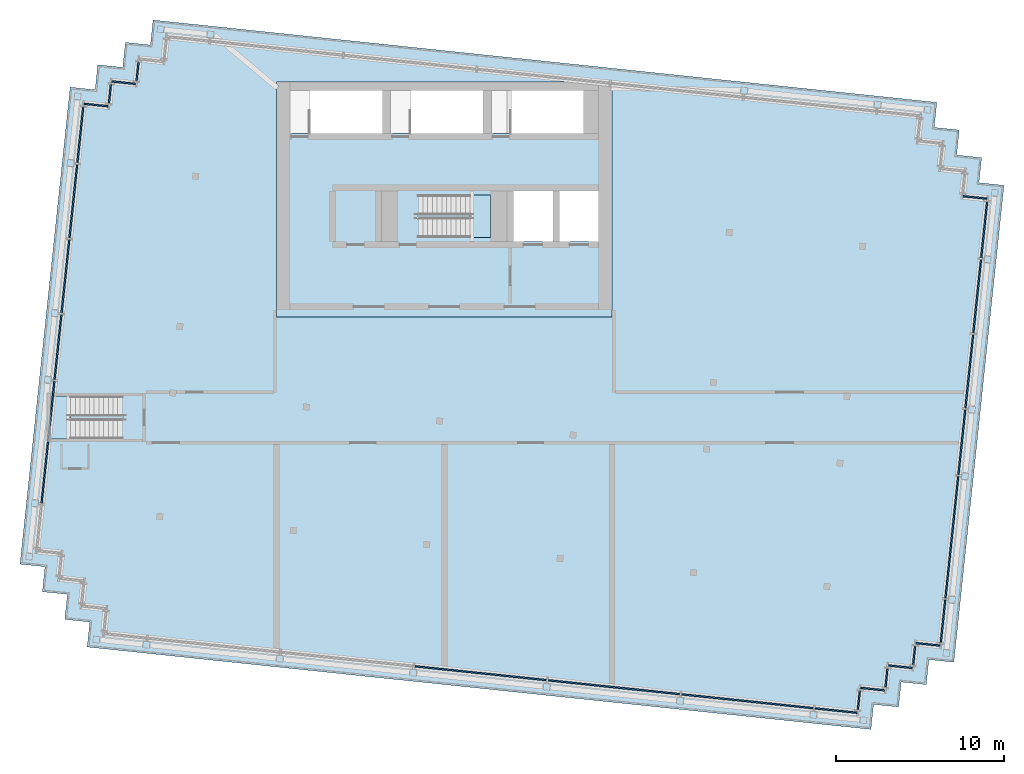
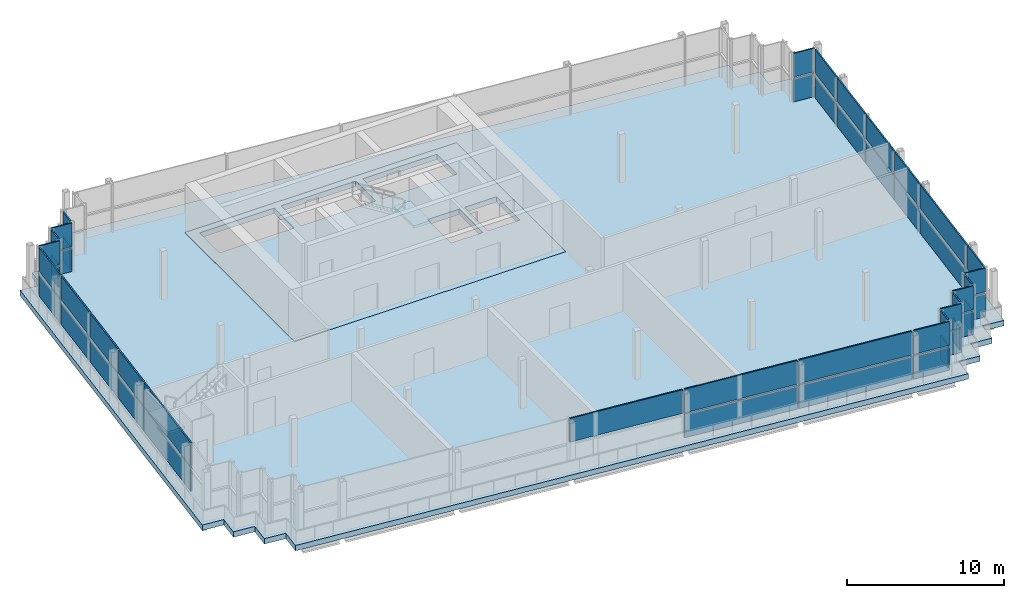
# One storey, part 6 of 13: 51 plates, 4 slabs, 16 elements without a shape of their own.
"""IFC4 building model written with IfcOpenShell, lengths in metres."""

import ifcopenshell
import ifcopenshell.guid

model = None  # the IFC model being written
_history = None  # IfcOwnerHistory: only IFC2X3 demands one
_inside = {}  # id of a spatial element -> (the spatial element, [elements in it])
_under = {}  # id of a project, library or spatial element -> (it, [spatial elements below it])
_declared = {}  # id of a project -> (the project, [libraries it declares])
_typed = {}  # id of a type object -> (the type object, [elements of that type])
_made_of = {}  # id of a material, layer set ... -> (it, [elements and type objects made of it])


def new_model(schema):
    """Start an empty IFC model of exactly this schema.

    Asked for "IFC4X3", IfcOpenShell would pick the latest addendum, in which some entities
    have other attributes; the version numbers below select the first issue.
    IFC2X3 requires an IfcOwnerHistory on every rooted entity: one is made here for all.
    """
    global model, _history
    if schema == "IFC4X3":
        model = ifcopenshell.file(schema_version=(4, 3, 0, 0))
    else:
        model = ifcopenshell.file(schema=schema)
    _inside.clear()
    _under.clear()
    _declared.clear()
    _typed.clear()
    _made_of.clear()
    _history = None
    if model.schema == "IFC2X3":
        org = make("IfcOrganization", Name="unknown")
        user = make(
            "IfcPersonAndOrganization",
            ThePerson=make("IfcPerson", FamilyName="unknown"),
            TheOrganization=org,
        )
        app = make(
            "IfcApplication",
            ApplicationDeveloper=org,
            Version="unknown",
            ApplicationFullName="unknown",
            ApplicationIdentifier="unknown",
        )
        _history = make(
            "IfcOwnerHistory",
            OwningUser=user,
            OwningApplication=app,
            ChangeAction="ADDED",
            CreationDate=0,
        )
    return model


def make(cls, **values):
    """One entity of the class cls with the attributes given. An attribute that is None is left unset."""
    return model.create_entity(
        cls, **{name: value for name, value in values.items() if value is not None}
    )


def rooted(cls, **values):
    """An entity with a GlobalId (a new one), such as an element, a storey or a relation."""
    return make(cls, GlobalId=ifcopenshell.guid.new(), OwnerHistory=_history, **values)


def si_unit(unit_type, name, prefix=None):
    """IfcSIUnit, for example si_unit("LENGTHUNIT", "METRE", prefix="MILLI")."""
    return make("IfcSIUnit", UnitType=unit_type, Prefix=prefix, Name=name)


def assignment(units):
    """IfcUnitAssignment: the units of a project."""
    return None if units is None else make("IfcUnitAssignment", Units=units)


def point(xyz):
    """IfcCartesianPoint."""
    return None if xyz is None else make("IfcCartesianPoint", Coordinates=xyz)


def direction(xyz):
    """IfcDirection."""
    return None if xyz is None else make("IfcDirection", DirectionRatios=xyz)


def frame(location, z_axis=None, x_axis=None):
    """IfcAxis2Placement3D, a coordinate frame: its origin and axes. An axis left out is left unset."""
    return make(
        "IfcAxis2Placement3D",
        Location=point(location),
        Axis=direction(z_axis),
        RefDirection=direction(x_axis),
    )


def frame_2d(location, x_axis=None):
    """IfcAxis2Placement2D, a coordinate frame in the plane: its origin and x axis."""
    return make(
        "IfcAxis2Placement2D", Location=point(location), RefDirection=direction(x_axis)
    )


def origin():
    """The frame at (0, 0, 0) with its axes left unset."""
    return frame((0.0, 0.0, 0.0))


def origin_2d():
    """The frame at (0, 0) in the plane with its x axis left unset."""
    return frame_2d((0.0, 0.0))


def place(relative_to, where):
    """IfcLocalPlacement: puts the frame where relative to a parent placement (None: the world)."""
    return make(
        "IfcLocalPlacement", PlacementRelTo=relative_to, RelativePlacement=where
    )


def context(
    kind, dimensions, precision=None, world=None, true_north=None, identifier=None
):
    """IfcGeometricRepresentationContext, for example the 3D "Model" context."""
    return make(
        "IfcGeometricRepresentationContext",
        ContextIdentifier=identifier,
        ContextType=kind,
        CoordinateSpaceDimension=dimensions,
        Precision=precision,
        WorldCoordinateSystem=world,
        TrueNorth=true_north,
    )


def subcontext(parent, identifier, kind, view, scale=None):
    """IfcGeometricRepresentationSubContext, for example "Body" below "Model"."""
    return make(
        "IfcGeometricRepresentationSubContext",
        ContextIdentifier=identifier,
        ContextType=kind,
        ParentContext=parent,
        TargetScale=scale,
        TargetView=view,
    )


def project(units=None, contexts=None):
    """IfcProject with its units and contexts."""
    return rooted(
        "IfcProject",
        Name="project",
        RepresentationContexts=contexts,
        UnitsInContext=assignment(units),
    )


def spatial(cls, under=None, at=None, **own):
    """A site, building, storey or space (cls), placed at a placement, below another one or the project."""
    s = rooted(cls, ObjectPlacement=at, **own)
    if under is not None:
        _under.setdefault(under.id(), (under, []))[1].append(s)
    return s


def polyline(points):
    """IfcPolyline through the points."""
    return make("IfcPolyline", Points=[point(p) for p in points])


def profile(cls, at=None, kind="AREA", **sizes):
    """A parametric profile (cls). Its sizes go by their IFC names, for example OverallWidth=200.0."""
    return make(cls, ProfileType=kind, Position=at, **sizes)


def rectangle(**sizes):
    """IfcRectangleProfileDef."""
    return profile("IfcRectangleProfileDef", **sizes)


def outline(outer, holes=None, kind="AREA"):
    """IfcArbitraryClosedProfileDef: a profile drawn as a closed curve; with holes, ...WithVoids."""
    if holes is None:
        return make("IfcArbitraryClosedProfileDef", ProfileType=kind, OuterCurve=outer)
    return make(
        "IfcArbitraryProfileDefWithVoids",
        ProfileType=kind,
        OuterCurve=outer,
        InnerCurves=holes,
    )


def extrude(swept, where, along, depth):
    """IfcExtrudedAreaSolid: the profile swept, set in the frame where, extruded along a direction by depth."""
    return make(
        "IfcExtrudedAreaSolid",
        SweptArea=swept,
        Position=where,
        ExtrudedDirection=direction(along),
        Depth=depth,
    )


def shape(context_of_items, identifier, shape_type, items):
    """IfcShapeRepresentation: the items that make up one representation, for example the "Body"."""
    return make(
        "IfcShapeRepresentation",
        ContextOfItems=context_of_items,
        RepresentationIdentifier=identifier,
        RepresentationType=shape_type,
        Items=items,
    )


def material(Name=None, Category=None):
    """IfcMaterial."""
    return make("IfcMaterial", Name=Name, Category=Category)


def layer(
    of_material, thickness, ventilated=None, Name=None, Category=None, Priority=None
):
    """IfcMaterialLayer: one layer of a wall or slab, of a material (None: an air gap)."""
    return make(
        "IfcMaterialLayer",
        Material=of_material,
        LayerThickness=thickness,
        IsVentilated=ventilated,
        Name=Name,
        Category=Category,
        Priority=Priority,
    )


def layer_set(layers, Name=None):
    """IfcMaterialLayerSet."""
    return make("IfcMaterialLayerSet", MaterialLayers=layers, LayerSetName=Name)


def made_of(thing, what):
    """Note that an element or type object is made of a material, layer set ...; save() writes the relation."""
    if what is not None:
        _made_of.setdefault(what.id(), (what, []))[1].append(thing)
    return thing


def type_object(cls, material=None, **own):
    """A type object (cls), such as IfcWallType, which elements share."""
    return made_of(rooted(cls, **own), material)


def element(
    cls,
    number,
    at=None,
    inside=None,
    cuts=None,
    type_object=None,
    material=None,
    context=None,
    identifier="Body",
    shape_type=None,
    held_by="IfcProductDefinitionShape",
    body=None,
    shapes=None,
    **own,
):
    """One element of the class cls, such as IfcWall. Its Tag is "e" and its number.

    at: its placement. inside: the storey or other place that contains it. cuts: it is an
    opening in that element (IfcRelVoidsElement). A single representation is given by context,
    identifier, shape_type and body (its items); several are given by shapes. held_by: the class
    of the entity that holds the representations. save() writes the other relations.
    """
    e = rooted(cls, Tag="e%d" % number, ObjectPlacement=at, **own)
    if body is not None:
        shapes = [shape(context, identifier, shape_type, body)]
    if shapes is not None:
        e.Representation = make(held_by, Representations=shapes)
    if inside is not None:
        _inside.setdefault(inside.id(), (inside, []))[1].append(e)
    if cuts is not None:
        rooted(
            "IfcRelVoidsElement", RelatingBuildingElement=cuts, RelatedOpeningElement=e
        )
    if type_object is not None:
        _typed.setdefault(type_object.id(), (type_object, []))[1].append(e)
    return made_of(e, material)


def aggregate(whole, parts):
    """IfcRelAggregates: a whole, such as a stair, and the parts it consists of."""
    return rooted("IfcRelAggregates", RelatingObject=whole, RelatedObjects=parts)


def save(model, path):
    """Write the relations noted so far, then the file.

    IfcRelAggregates (storeys below a building ...), IfcRelContainedInSpatialStructure (elements
    in a storey), IfcRelDefinesByType, IfcRelAssociatesMaterial and IfcRelDeclares: one each for
    every whole, place, type object, material and project.
    """
    for whole, parts in _under.values():
        aggregate(whole, parts)
    for where, things in _inside.values():
        rooted(
            "IfcRelContainedInSpatialStructure",
            RelatedElements=things,
            RelatingStructure=where,
        )
    for kind, things in _typed.values():
        rooted("IfcRelDefinesByType", RelatedObjects=things, RelatingType=kind)
    for what, things in _made_of.values():
        rooted("IfcRelAssociatesMaterial", RelatedObjects=things, RelatingMaterial=what)
    for by, libraries in _declared.values():
        rooted("IfcRelDeclares", RelatingContext=by, RelatedDefinitions=libraries)
    model.write(path)


model = new_model("IFC4")

# Units and contexts
model_context = context("Model", 3, precision=1e-05, world=origin(), true_north=direction((0.0, 1.0)))
body_context = subcontext(model_context, "Body", "Model", "MODEL_VIEW")
ifc_project = project(units=[si_unit("LENGTHUNIT", "METRE"), si_unit("AREAUNIT", "SQUARE_METRE"), si_unit("VOLUMEUNIT", "CUBIC_METRE"), si_unit("PLANEANGLEUNIT", "RADIAN"), si_unit("MASSUNIT", "GRAM", prefix="KILO")], contexts=[model_context])

# Site, building, storey
site_placement = place(None, origin())
site = spatial("IfcSite", under=ifc_project, at=site_placement, CompositionType="ELEMENT")
building_placement = place(site_placement, origin())
building = spatial("IfcBuilding", under=site, at=building_placement, Name="Vidyagriha Tower", CompositionType="ELEMENT")
storey_placement = place(building_placement, frame((0.0, 0.0, 309.199951171875)))
storey = spatial("IfcBuildingStorey", under=building, at=storey_placement, Name="L79", CompositionType="ELEMENT", Elevation=309.199951171875)

# Slab
ifc_material_1 = material(Name="Concrete C60/75", Category="concrete")
ifc_layer_1 = layer(ifc_material_1, 0.419921875)
ifc_layer_set_1 = layer_set([ifc_layer_1], Name="Concrete C60/75")
slab_type_1 = type_object("IfcSlabType", Name="Core floor slab 420 mm", PredefinedType="FLOOR", material=ifc_layer_set_1)
slab_1_placement = place(storey_placement, frame((0.0, 0.0, -0.419921875)))
element("IfcSlab", 1, at=slab_1_placement, inside=storey, type_object=slab_type_1, Name="L79 core floor 1", PredefinedType="FLOOR", context=body_context, shape_type="SweptSolid", body=[
    extrude(outline(polyline([(-10.0, 6.0), (-10.0, 20.0), (10.0, 20.0), (10.0, 6.0), (-10.0, 6.0)]), holes=[polyline([(6.86669921875, 13.5), (6.86669921875, 10.5), (9.199951171875, 10.5), (9.199951171875, 13.5), (6.86669921875, 13.5)]), polyline([(2.800048828125, 19.5), (2.800048828125, 16.949951171875), (4.0, 16.949951171875), (8.300048828125, 16.949951171875), (8.300048828125, 19.5), (4.0, 19.5), (2.800048828125, 19.5)]), polyline([(4.13330078125, 13.5), (4.13330078125, 10.5), (6.466796875, 10.5), (6.466796875, 13.5), (4.13330078125, 13.5)]), polyline([(-3.199951171875, 19.5), (-3.199951171875, 16.949951171875), (-2.0, 16.949951171875), (2.300048828125, 16.949951171875), (2.300048828125, 19.5), (-2.0, 19.5), (-3.199951171875, 19.5)]), polyline([(-9.199951171875, 19.5), (-9.199951171875, 16.949951171875), (-8.0, 16.949951171875), (-3.699951171875, 16.949951171875), (-3.699951171875, 19.5), (-8.0, 19.5), (-9.199951171875, 19.5)])]), origin(), (0.0, 0.0, 1.0), 0.419921875),
])

# Stair, slab
ifc_material_2 = material(Name="Concrete C40/50", Category="concrete")
stair_type = type_object("IfcStairType", Name="Exit stair, half-turn, precast flights", PredefinedType="HALF_TURN_STAIR", material=ifc_material_2)
stair_1_placement = place(storey_placement, origin())
stair_1 = element("IfcStair", 2, at=stair_1_placement, inside=storey, type_object=stair_type, Name="L79 Drum Access Stair ST-D", PredefinedType="HALF_TURN_STAIR")
ifc_material_3 = material(Name="Concrete C40/50", Category="concrete")
ifc_layer_2 = layer(ifc_material_3, 0.199951171875)
ifc_layer_set_2 = layer_set([ifc_layer_2], Name="Concrete C40/50")
slab_type_2 = type_object("IfcSlabType", Name="Exit stair landing 200 mm", PredefinedType="LANDING", material=ifc_layer_set_2)
slab_2_placement = place(storey_placement, frame((0.0, 0.0, 1.900146484375)))
slab_2 = element("IfcSlab", 3, at=slab_2_placement, type_object=slab_type_2, Name="ST-D landing 1", PredefinedType="LANDING", context=body_context, shape_type="SweptSolid", body=[
    extrude(outline(polyline([(1.530029296875, 10.72509765625), (2.75, 10.72509765625), (2.75, 13.27490234375), (1.530029296875, 13.27490234375), (1.530029296875, 10.72509765625)])), origin(), (0.0, 0.0, 1.0), 0.199951171875),
])
aggregate(stair_1, [slab_2])

stair_2_placement = place(storey_placement, origin())
stair_2 = element("IfcStair", 4, at=stair_2_placement, inside=storey, type_object=stair_type, Name="L79 Drum Access Stair ST-D2", PredefinedType="HALF_TURN_STAIR")
slab_3_placement = place(storey_placement, frame((0.0, 0.0, 1.900146484375)))
slab_3 = element("IfcSlab", 5, at=slab_3_placement, type_object=slab_type_2, Name="ST-D2 landing 1", PredefinedType="LANDING", context=body_context, shape_type="SweptSolid", body=[
    extrude(outline(polyline([(-22.280029296875, 1.27490234375), (-23.5, 1.27490234375), (-23.5, -1.27490234375), (-22.280029296875, -1.27490234375), (-22.280029296875, 1.27490234375)])), origin(), (0.0, 0.0, 1.0), 0.199951171875),
])
aggregate(stair_2, [slab_3])

# Curtain wall, plates
ifc_material_4 = material(Name="Aluminium and glass curtain wall", Category="aluminium")
curtain_wall_type = type_object("IfcCurtainWallType", Name="Crown plant louvre wall", PredefinedType="USERDEFINED", material=ifc_material_4)
curtain_wall_1_placement = place(storey_placement, origin())
curtain_wall_1 = element("IfcCurtainWall", 6, at=curtain_wall_1_placement, inside=storey, type_object=curtain_wall_type, Name="CW9 crown plant louvre wall", ObjectType="STICK GLAZING", PredefinedType="USERDEFINED")
ifc_material_5 = material(Name="Perforated fired clay brick jaali screen", Category="masonry")
ifc_layer_3 = layer(ifc_material_5, 0.10009765625)
ifc_layer_set_3 = layer_set([ifc_layer_3], Name="Perforated fired clay brick jaali screen")
plate_type = type_object("IfcPlateType", Name="Perforated brick jaali screen panel", PredefinedType="CURTAIN_PANEL", material=ifc_layer_set_3)
plate_1_placement = place(storey_placement, frame((31.64111328125, 13.125244140625, 0.0), z_axis=(0.0, 0.0, 1.0), x_axis=(-0.99452853646, 0.104465258184, 0.0)))
plate_1 = element("IfcPlate", 7, at=plate_1_placement, type_object=plate_type, Name="CW9 panel 1.1", PredefinedType="CURTAIN_PANEL", context=body_context, shape_type="SweptSolid", body=[
    extrude(rectangle(XDim=1.4599609375, YDim=0.10009765625, at=origin_2d()), origin(), (0.0, 0.0, 1.0), 1.840087890625),
])
plate_2_placement = place(storey_placement, frame((31.64111328125, 13.125244140625, 1.93994140625), z_axis=(0.0, 0.0, 1.0), x_axis=(-0.99452853646, 0.104465258184, 0.0)))
plate_2 = element("IfcPlate", 8, at=plate_2_placement, type_object=plate_type, Name="CW9 panel 1.2", PredefinedType="CURTAIN_PANEL", context=body_context, shape_type="SweptSolid", body=[
    extrude(rectangle(XDim=1.4599609375, YDim=0.10009765625, at=origin_2d()), origin(), (0.0, 0.0, 1.0), 1.840087890625),
])
aggregate(curtain_wall_1, [plate_1, plate_2])

curtain_wall_2_placement = place(storey_placement, origin())
curtain_wall_2 = element("IfcCurtainWall", 9, at=curtain_wall_2_placement, inside=storey, type_object=curtain_wall_type, Name="CW9 crown plant louvre wall", ObjectType="STICK GLAZING", PredefinedType="USERDEFINED")
plate_3_placement = place(storey_placement, frame((-18.297119140625, 20.636474609375, 0.0), z_axis=(0.0, 0.0, 1.0), x_axis=(-0.104548823962, -0.994519755162, 0.0)))
plate_3 = element("IfcPlate", 10, at=plate_3_placement, type_object=plate_type, Name="CW9 panel 1.1", PredefinedType="CURTAIN_PANEL", context=body_context, shape_type="SweptSolid", body=[
    extrude(rectangle(XDim=1.139892578125, YDim=0.10009765625, at=origin_2d()), origin(), (0.0, 0.0, 1.0), 1.840087890625),
])
plate_4_placement = place(storey_placement, frame((-18.297119140625, 20.636474609375, 1.93994140625), z_axis=(0.0, 0.0, 1.0), x_axis=(-0.104548823962, -0.994519755162, 0.0)))
plate_4 = element("IfcPlate", 11, at=plate_4_placement, type_object=plate_type, Name="CW9 panel 1.2", PredefinedType="CURTAIN_PANEL", context=body_context, shape_type="SweptSolid", body=[
    extrude(rectangle(XDim=1.139892578125, YDim=0.10009765625, at=origin_2d()), origin(), (0.0, 0.0, 1.0), 1.840087890625),
])
aggregate(curtain_wall_2, [plate_3, plate_4])

curtain_wall_3_placement = place(storey_placement, origin())
curtain_wall_3 = element("IfcCurtainWall", 12, at=curtain_wall_3_placement, inside=storey, type_object=curtain_wall_type, Name="CW9 crown plant louvre wall", ObjectType="STICK GLAZING", PredefinedType="USERDEFINED")
plate_5_placement = place(storey_placement, frame((-19.12158203125, 19.96875, 0.0), z_axis=(0.0, 0.0, 1.0), x_axis=(-0.994523591781, 0.104512321721, 0.0)))
plate_5 = element("IfcPlate", 13, at=plate_5_placement, type_object=plate_type, Name="CW9 panel 1.1", PredefinedType="CURTAIN_PANEL", context=body_context, shape_type="SweptSolid", body=[
    extrude(rectangle(XDim=1.460205078125, YDim=0.10009765625, at=origin_2d()), origin(), (0.0, 0.0, 1.0), 1.840087890625),
])
plate_6_placement = place(storey_placement, frame((-19.12158203125, 19.96875, 1.93994140625), z_axis=(0.0, 0.0, 1.0), x_axis=(-0.994523591781, 0.104512321721, 0.0)))
plate_6 = element("IfcPlate", 14, at=plate_6_placement, type_object=plate_type, Name="CW9 panel 1.2", PredefinedType="CURTAIN_PANEL", context=body_context, shape_type="SweptSolid", body=[
    extrude(rectangle(XDim=1.460205078125, YDim=0.10009765625, at=origin_2d()), origin(), (0.0, 0.0, 1.0), 1.840087890625),
])
aggregate(curtain_wall_3, [plate_5, plate_6])

curtain_wall_4_placement = place(storey_placement, origin())
curtain_wall_4 = element("IfcCurtainWall", 15, at=curtain_wall_4_placement, inside=storey, type_object=curtain_wall_type, Name="CW9 crown plant louvre wall", ObjectType="STICK GLAZING", PredefinedType="USERDEFINED")
plate_7_placement = place(storey_placement, frame((-19.94580078125, 19.301513671875, 0.0), z_axis=(0.0, 0.0, 1.0), x_axis=(-0.10456434453, -0.994518123441, 0.0)))
plate_7 = element("IfcPlate", 16, at=plate_7_placement, type_object=plate_type, Name="CW9 panel 1.1", PredefinedType="CURTAIN_PANEL", context=body_context, shape_type="SweptSolid", body=[
    extrude(rectangle(XDim=1.139892578125, YDim=0.10009765625, at=origin_2d()), origin(), (0.0, 0.0, 1.0), 1.840087890625),
])
plate_8_placement = place(storey_placement, frame((-19.94580078125, 19.301513671875, 1.93994140625), z_axis=(0.0, 0.0, 1.0), x_axis=(-0.10456434453, -0.994518123441, 0.0)))
plate_8 = element("IfcPlate", 17, at=plate_8_placement, type_object=plate_type, Name="CW9 panel 1.2", PredefinedType="CURTAIN_PANEL", context=body_context, shape_type="SweptSolid", body=[
    extrude(rectangle(XDim=1.139892578125, YDim=0.10009765625, at=origin_2d()), origin(), (0.0, 0.0, 1.0), 1.840087890625),
])
aggregate(curtain_wall_4, [plate_7, plate_8])

curtain_wall_5_placement = place(storey_placement, origin())
curtain_wall_5 = element("IfcCurtainWall", 18, at=curtain_wall_5_placement, inside=storey, type_object=curtain_wall_type, Name="CW9 crown plant louvre wall", ObjectType="STICK GLAZING", PredefinedType="USERDEFINED")
plate_9_placement = place(storey_placement, frame((-20.77001953125, 18.634033203125, 0.0), z_axis=(0.0, 0.0, 1.0), x_axis=(-0.994529851134, 0.104452741485, 0.0)))
plate_9 = element("IfcPlate", 19, at=plate_9_placement, type_object=plate_type, Name="CW9 panel 1.1", PredefinedType="CURTAIN_PANEL", context=body_context, shape_type="SweptSolid", body=[
    extrude(rectangle(XDim=1.460205078125, YDim=0.10009765625, at=origin_2d()), origin(), (0.0, 0.0, 1.0), 1.840087890625),
])
plate_10_placement = place(storey_placement, frame((-20.77001953125, 18.634033203125, 1.93994140625), z_axis=(0.0, 0.0, 1.0), x_axis=(-0.994529851134, 0.104452741485, 0.0)))
plate_10 = element("IfcPlate", 20, at=plate_10_placement, type_object=plate_type, Name="CW9 panel 1.2", PredefinedType="CURTAIN_PANEL", context=body_context, shape_type="SweptSolid", body=[
    extrude(rectangle(XDim=1.460205078125, YDim=0.10009765625, at=origin_2d()), origin(), (0.0, 0.0, 1.0), 1.840087890625),
])
aggregate(curtain_wall_5, [plate_9, plate_10])

curtain_wall_6_placement = place(storey_placement, origin())
curtain_wall_6 = element("IfcCurtainWall", 21, at=curtain_wall_6_placement, inside=storey, type_object=curtain_wall_type, Name="CW9 crown plant louvre wall", ObjectType="STICK GLAZING", PredefinedType="USERDEFINED")
plate_11_placement = place(storey_placement, frame((-21.7109375, 16.857421875, 0.0), z_axis=(0.0, 0.0, 1.0), x_axis=(-0.104527289697, -0.994522018715, 0.0)))
plate_11 = element("IfcPlate", 22, at=plate_11_placement, type_object=plate_type, Name="CW9 panel 1.1", PredefinedType="CURTAIN_PANEL", context=body_context, shape_type="SweptSolid", body=[
    extrude(rectangle(XDim=3.3701171875, YDim=0.10009765625, at=origin_2d()), origin(), (0.0, 0.0, 1.0), 1.840087890625),
])
plate_12_placement = place(storey_placement, frame((-21.7109375, 16.857421875, 1.93994140625), z_axis=(0.0, 0.0, 1.0), x_axis=(-0.104527289697, -0.994522018715, 0.0)))
plate_12 = element("IfcPlate", 23, at=plate_12_placement, type_object=plate_type, Name="CW9 panel 1.2", PredefinedType="CURTAIN_PANEL", context=body_context, shape_type="SweptSolid", body=[
    extrude(rectangle(XDim=3.3701171875, YDim=0.10009765625, at=origin_2d()), origin(), (0.0, 0.0, 1.0), 1.840087890625),
])
plate_13_placement = place(storey_placement, frame((-22.12744140625, 12.894287109375, 0.0), z_axis=(0.0, 0.0, 1.0), x_axis=(-0.104527289697, -0.994522018715, 0.0)))
plate_13 = element("IfcPlate", 24, at=plate_13_placement, type_object=plate_type, Name="CW9 panel 2.1", PredefinedType="CURTAIN_PANEL", context=body_context, shape_type="SweptSolid", body=[
    extrude(rectangle(XDim=4.400146484375, YDim=0.10009765625, at=origin_2d()), origin(), (0.0, 0.0, 1.0), 1.840087890625),
])
plate_14_placement = place(storey_placement, frame((-22.12744140625, 12.894287109375, 1.93994140625), z_axis=(0.0, 0.0, 1.0), x_axis=(-0.104527289697, -0.994522018715, 0.0)))
plate_14 = element("IfcPlate", 25, at=plate_14_placement, type_object=plate_type, Name="CW9 panel 2.2", PredefinedType="CURTAIN_PANEL", context=body_context, shape_type="SweptSolid", body=[
    extrude(rectangle(XDim=4.400146484375, YDim=0.10009765625, at=origin_2d()), origin(), (0.0, 0.0, 1.0), 1.840087890625),
])
plate_15_placement = place(storey_placement, frame((-22.597900390625, 8.4189453125, 0.0), z_axis=(0.0, 0.0, 1.0), x_axis=(-0.104527289697, -0.994522018715, 0.0)))
plate_15 = element("IfcPlate", 26, at=plate_15_placement, type_object=plate_type, Name="CW9 panel 3.1", PredefinedType="CURTAIN_PANEL", context=body_context, shape_type="SweptSolid", body=[
    extrude(rectangle(XDim=4.39990234375, YDim=0.10009765625, at=origin_2d()), origin(), (0.0, 0.0, 1.0), 1.840087890625),
])
plate_16_placement = place(storey_placement, frame((-22.597900390625, 8.4189453125, 1.93994140625), z_axis=(0.0, 0.0, 1.0), x_axis=(-0.104527289697, -0.994522018715, 0.0)))
plate_16 = element("IfcPlate", 27, at=plate_16_placement, type_object=plate_type, Name="CW9 panel 3.2", PredefinedType="CURTAIN_PANEL", context=body_context, shape_type="SweptSolid", body=[
    extrude(rectangle(XDim=4.39990234375, YDim=0.10009765625, at=origin_2d()), origin(), (0.0, 0.0, 1.0), 1.840087890625),
])
plate_17_placement = place(storey_placement, frame((-23.0419921875, 4.192138671875, 0.0), z_axis=(0.0, 0.0, 1.0), x_axis=(-0.104527289697, -0.994522018715, 0.0)))
plate_17 = element("IfcPlate", 28, at=plate_17_placement, type_object=plate_type, Name="CW9 panel 4.1", PredefinedType="CURTAIN_PANEL", context=body_context, shape_type="SweptSolid", body=[
    extrude(rectangle(XDim=3.89990234375, YDim=0.10009765625, at=origin_2d()), origin(), (0.0, 0.0, 1.0), 1.840087890625),
])
plate_18_placement = place(storey_placement, frame((-23.0419921875, 4.192138671875, 1.93994140625), z_axis=(0.0, 0.0, 1.0), x_axis=(-0.104527289697, -0.994522018715, 0.0)))
plate_18 = element("IfcPlate", 29, at=plate_18_placement, type_object=plate_type, Name="CW9 panel 4.2", PredefinedType="CURTAIN_PANEL", context=body_context, shape_type="SweptSolid", body=[
    extrude(rectangle(XDim=3.89990234375, YDim=0.10009765625, at=origin_2d()), origin(), (0.0, 0.0, 1.0), 1.840087890625),
])
plate_19_placement = place(storey_placement, frame((-23.637939453125, -1.4765625, 0.0), z_axis=(0.0, 0.0, 1.0), x_axis=(-0.104527289697, -0.994522018715, 0.0)))
plate_19 = element("IfcPlate", 30, at=plate_19_placement, type_object=plate_type, Name="CW9 panel 5.1", PredefinedType="CURTAIN_PANEL", context=body_context, shape_type="SweptSolid", body=[
    extrude(rectangle(XDim=7.300048828125, YDim=0.10009765625, at=origin_2d()), origin(), (0.0, 0.0, 1.0), 1.840087890625),
])
plate_20_placement = place(storey_placement, frame((-23.637939453125, -1.4765625, 1.93994140625), z_axis=(0.0, 0.0, 1.0), x_axis=(-0.104527289697, -0.994522018715, 0.0)))
plate_20 = element("IfcPlate", 31, at=plate_20_placement, type_object=plate_type, Name="CW9 panel 5.2", PredefinedType="CURTAIN_PANEL", context=body_context, shape_type="SweptSolid", body=[
    extrude(rectangle(XDim=7.300048828125, YDim=0.10009765625, at=origin_2d()), origin(), (0.0, 0.0, 1.0), 1.840087890625),
])
aggregate(curtain_wall_6, [plate_11, plate_12, plate_13, plate_14, plate_15, plate_16, plate_17, plate_18, plate_19, plate_20])

curtain_wall_7_placement = place(storey_placement, origin())
curtain_wall_7 = element("IfcCurtainWall", 32, at=curtain_wall_7_placement, inside=storey, type_object=curtain_wall_type, Name="CW9 crown plant louvre wall", ObjectType="STICK GLAZING", PredefinedType="USERDEFINED")
plate_21_placement = place(storey_placement, frame((2.163818359375, -15.248779296875, 1.93994140625), z_axis=(0.0, 0.0, 1.0), x_axis=(0.99452191762, -0.104528251556, 0.0)))
plate_21 = element("IfcPlate", 33, at=plate_21_placement, type_object=plate_type, Name="CW9 panel 4.2", PredefinedType="CURTAIN_PANEL", context=body_context, shape_type="SweptSolid", body=[
    extrude(rectangle(XDim=7.89990234375, YDim=0.10009765625, at=origin_2d()), origin(), (0.0, 0.0, 1.0), 1.840087890625),
])
plate_22_placement = place(storey_placement, frame((10.1201171875, -16.085205078125, 0.0), z_axis=(0.0, 0.0, 1.0), x_axis=(0.99452191762, -0.104528251556, 0.0)))
plate_22 = element("IfcPlate", 34, at=plate_22_placement, type_object=plate_type, Name="CW9 panel 5.1", PredefinedType="CURTAIN_PANEL", context=body_context, shape_type="SweptSolid", body=[
    extrude(rectangle(XDim=7.89990234375, YDim=0.10009765625, at=origin_2d()), origin(), (0.0, 0.0, 1.0), 1.840087890625),
])
plate_23_placement = place(storey_placement, frame((10.1201171875, -16.085205078125, 1.93994140625), z_axis=(0.0, 0.0, 1.0), x_axis=(0.99452191762, -0.104528251556, 0.0)))
plate_23 = element("IfcPlate", 35, at=plate_23_placement, type_object=plate_type, Name="CW9 panel 5.2", PredefinedType="CURTAIN_PANEL", context=body_context, shape_type="SweptSolid", body=[
    extrude(rectangle(XDim=7.89990234375, YDim=0.10009765625, at=origin_2d()), origin(), (0.0, 0.0, 1.0), 1.840087890625),
])
plate_24_placement = place(storey_placement, frame((18.076171875, -16.92138671875, 0.0), z_axis=(0.0, 0.0, 1.0), x_axis=(0.99452191762, -0.104528251556, 0.0)))
plate_24 = element("IfcPlate", 36, at=plate_24_placement, type_object=plate_type, Name="CW9 panel 6.1", PredefinedType="CURTAIN_PANEL", context=body_context, shape_type="SweptSolid", body=[
    extrude(rectangle(XDim=7.89990234375, YDim=0.10009765625, at=origin_2d()), origin(), (0.0, 0.0, 1.0), 1.840087890625),
])
plate_25_placement = place(storey_placement, frame((18.076171875, -16.92138671875, 1.93994140625), z_axis=(0.0, 0.0, 1.0), x_axis=(0.99452191762, -0.104528251556, 0.0)))
plate_25 = element("IfcPlate", 37, at=plate_25_placement, type_object=plate_type, Name="CW9 panel 6.2", PredefinedType="CURTAIN_PANEL", context=body_context, shape_type="SweptSolid", body=[
    extrude(rectangle(XDim=7.89990234375, YDim=0.10009765625, at=origin_2d()), origin(), (0.0, 0.0, 1.0), 1.840087890625),
])
plate_26_placement = place(storey_placement, frame((23.362060546875, -17.476806640625, 0.0), z_axis=(0.0, 0.0, 1.0), x_axis=(0.99452191762, -0.104528251556, 0.0)))
plate_26 = element("IfcPlate", 38, at=plate_26_placement, type_object=plate_type, Name="CW9 panel 7.1", PredefinedType="CURTAIN_PANEL", context=body_context, shape_type="SweptSolid", body=[
    extrude(rectangle(XDim=2.530029296875, YDim=0.10009765625, at=origin_2d()), origin(), (0.0, 0.0, 1.0), 1.840087890625),
])
plate_27_placement = place(storey_placement, frame((23.362060546875, -17.476806640625, 1.93994140625), z_axis=(0.0, 0.0, 1.0), x_axis=(0.99452191762, -0.104528251556, 0.0)))
plate_27 = element("IfcPlate", 39, at=plate_27_placement, type_object=plate_type, Name="CW9 panel 7.2", PredefinedType="CURTAIN_PANEL", context=body_context, shape_type="SweptSolid", body=[
    extrude(rectangle(XDim=2.530029296875, YDim=0.10009765625, at=origin_2d()), origin(), (0.0, 0.0, 1.0), 1.840087890625),
])
aggregate(curtain_wall_7, [plate_21, plate_22, plate_23, plate_24, plate_25, plate_26, plate_27])

curtain_wall_8_placement = place(storey_placement, origin())
curtain_wall_8 = element("IfcCurtainWall", 40, at=curtain_wall_8_placement, inside=storey, type_object=curtain_wall_type, Name="CW9 crown plant louvre wall", ObjectType="STICK GLAZING", PredefinedType="USERDEFINED")
plate_28_placement = place(storey_placement, frame((24.718505859375, -16.865478515625, 0.0), z_axis=(0.0, 0.0, 1.0), x_axis=(0.104556583677, 0.994518939392, 0.0)))
plate_28 = element("IfcPlate", 41, at=plate_28_placement, type_object=plate_type, Name="CW9 panel 1.1", PredefinedType="CURTAIN_PANEL", context=body_context, shape_type="SweptSolid", body=[
    extrude(rectangle(XDim=1.139892578125, YDim=0.10009765625, at=origin_2d()), origin(), (0.0, 0.0, 1.0), 1.840087890625),
])
plate_29_placement = place(storey_placement, frame((24.718505859375, -16.865478515625, 1.93994140625), z_axis=(0.0, 0.0, 1.0), x_axis=(0.104556583677, 0.994518939392, 0.0)))
plate_29 = element("IfcPlate", 42, at=plate_29_placement, type_object=plate_type, Name="CW9 panel 1.2", PredefinedType="CURTAIN_PANEL", context=body_context, shape_type="SweptSolid", body=[
    extrude(rectangle(XDim=1.139892578125, YDim=0.10009765625, at=origin_2d()), origin(), (0.0, 0.0, 1.0), 1.840087890625),
])
aggregate(curtain_wall_8, [plate_28, plate_29])

curtain_wall_9_placement = place(storey_placement, origin())
curtain_wall_9 = element("IfcCurtainWall", 43, at=curtain_wall_9_placement, inside=storey, type_object=curtain_wall_type, Name="CW9 crown plant louvre wall", ObjectType="STICK GLAZING", PredefinedType="USERDEFINED")
plate_30_placement = place(storey_placement, frame((25.542724609375, -16.197998046875, 0.0), z_axis=(0.0, 0.0, 1.0), x_axis=(0.994522933756, -0.104518583201, 0.0)))
plate_30 = element("IfcPlate", 44, at=plate_30_placement, type_object=plate_type, Name="CW9 panel 1.1", PredefinedType="CURTAIN_PANEL", context=body_context, shape_type="SweptSolid", body=[
    extrude(rectangle(XDim=1.4599609375, YDim=0.10009765625, at=origin_2d()), origin(), (0.0, 0.0, 1.0), 1.840087890625),
])
plate_31_placement = place(storey_placement, frame((25.542724609375, -16.197998046875, 1.93994140625), z_axis=(0.0, 0.0, 1.0), x_axis=(0.994522933756, -0.104518583201, 0.0)))
plate_31 = element("IfcPlate", 45, at=plate_31_placement, type_object=plate_type, Name="CW9 panel 1.2", PredefinedType="CURTAIN_PANEL", context=body_context, shape_type="SweptSolid", body=[
    extrude(rectangle(XDim=1.4599609375, YDim=0.10009765625, at=origin_2d()), origin(), (0.0, 0.0, 1.0), 1.840087890625),
])
aggregate(curtain_wall_9, [plate_30, plate_31])

curtain_wall_10_placement = place(storey_placement, origin())
curtain_wall_10 = element("IfcCurtainWall", 46, at=curtain_wall_10_placement, inside=storey, type_object=curtain_wall_type, Name="CW9 crown plant louvre wall", ObjectType="STICK GLAZING", PredefinedType="USERDEFINED")
plate_32_placement = place(storey_placement, frame((26.366943359375, -15.530517578125, 0.0), z_axis=(0.0, 0.0, 1.0), x_axis=(0.104548823962, 0.994519755162, 0.0)))
plate_32 = element("IfcPlate", 47, at=plate_32_placement, type_object=plate_type, Name="CW9 panel 1.1", PredefinedType="CURTAIN_PANEL", context=body_context, shape_type="SweptSolid", body=[
    extrude(rectangle(XDim=1.139892578125, YDim=0.10009765625, at=origin_2d()), origin(), (0.0, 0.0, 1.0), 1.840087890625),
])
plate_33_placement = place(storey_placement, frame((26.366943359375, -15.530517578125, 1.93994140625), z_axis=(0.0, 0.0, 1.0), x_axis=(0.104548823962, 0.994519755162, 0.0)))
plate_33 = element("IfcPlate", 48, at=plate_33_placement, type_object=plate_type, Name="CW9 panel 1.2", PredefinedType="CURTAIN_PANEL", context=body_context, shape_type="SweptSolid", body=[
    extrude(rectangle(XDim=1.139892578125, YDim=0.10009765625, at=origin_2d()), origin(), (0.0, 0.0, 1.0), 1.840087890625),
])
aggregate(curtain_wall_10, [plate_32, plate_33])

curtain_wall_11_placement = place(storey_placement, origin())
curtain_wall_11 = element("IfcCurtainWall", 49, at=curtain_wall_11_placement, inside=storey, type_object=curtain_wall_type, Name="CW9 crown plant louvre wall", ObjectType="STICK GLAZING", PredefinedType="USERDEFINED")
plate_34_placement = place(storey_placement, frame((27.19140625, -14.86279296875, 0.0), z_axis=(0.0, 0.0, 1.0), x_axis=(0.994522933756, -0.104518583201, 0.0)))
plate_34 = element("IfcPlate", 50, at=plate_34_placement, type_object=plate_type, Name="CW9 panel 1.1", PredefinedType="CURTAIN_PANEL", context=body_context, shape_type="SweptSolid", body=[
    extrude(rectangle(XDim=1.4599609375, YDim=0.10009765625, at=origin_2d()), origin(), (0.0, 0.0, 1.0), 1.840087890625),
])
plate_35_placement = place(storey_placement, frame((27.19140625, -14.86279296875, 1.93994140625), z_axis=(0.0, 0.0, 1.0), x_axis=(0.994522933756, -0.104518583201, 0.0)))
plate_35 = element("IfcPlate", 51, at=plate_35_placement, type_object=plate_type, Name="CW9 panel 1.2", PredefinedType="CURTAIN_PANEL", context=body_context, shape_type="SweptSolid", body=[
    extrude(rectangle(XDim=1.4599609375, YDim=0.10009765625, at=origin_2d()), origin(), (0.0, 0.0, 1.0), 1.840087890625),
])
aggregate(curtain_wall_11, [plate_34, plate_35])

curtain_wall_12_placement = place(storey_placement, origin())
curtain_wall_12 = element("IfcCurtainWall", 52, at=curtain_wall_12_placement, inside=storey, type_object=curtain_wall_type, Name="CW9 crown plant louvre wall", ObjectType="STICK GLAZING", PredefinedType="USERDEFINED")
plate_36_placement = place(storey_placement, frame((28.015625, -14.1953125, 0.0), z_axis=(0.0, 0.0, 1.0), x_axis=(0.104548823962, 0.994519755162, 0.0)))
plate_36 = element("IfcPlate", 53, at=plate_36_placement, type_object=plate_type, Name="CW9 panel 1.1", PredefinedType="CURTAIN_PANEL", context=body_context, shape_type="SweptSolid", body=[
    extrude(rectangle(XDim=1.139892578125, YDim=0.10009765625, at=origin_2d()), origin(), (0.0, 0.0, 1.0), 1.840087890625),
])
plate_37_placement = place(storey_placement, frame((28.015625, -14.1953125, 1.93994140625), z_axis=(0.0, 0.0, 1.0), x_axis=(0.104548823962, 0.994519755162, 0.0)))
plate_37 = element("IfcPlate", 54, at=plate_37_placement, type_object=plate_type, Name="CW9 panel 1.2", PredefinedType="CURTAIN_PANEL", context=body_context, shape_type="SweptSolid", body=[
    extrude(rectangle(XDim=1.139892578125, YDim=0.10009765625, at=origin_2d()), origin(), (0.0, 0.0, 1.0), 1.840087890625),
])
aggregate(curtain_wall_12, [plate_36, plate_37])

curtain_wall_13_placement = place(storey_placement, origin())
curtain_wall_13 = element("IfcCurtainWall", 55, at=curtain_wall_13_placement, inside=storey, type_object=curtain_wall_type, Name="CW9 crown plant louvre wall", ObjectType="STICK GLAZING", PredefinedType="USERDEFINED")
plate_38_placement = place(storey_placement, frame((28.83984375, -13.528076171875, 0.0), z_axis=(0.0, 0.0, 1.0), x_axis=(0.994523591781, -0.104512321721, 0.0)))
plate_38 = element("IfcPlate", 56, at=plate_38_placement, type_object=plate_type, Name="CW9 panel 1.1", PredefinedType="CURTAIN_PANEL", context=body_context, shape_type="SweptSolid", body=[
    extrude(rectangle(XDim=1.460205078125, YDim=0.10009765625, at=origin_2d()), origin(), (0.0, 0.0, 1.0), 1.840087890625),
])
plate_39_placement = place(storey_placement, frame((28.83984375, -13.528076171875, 1.93994140625), z_axis=(0.0, 0.0, 1.0), x_axis=(0.994523591781, -0.104512321721, 0.0)))
plate_39 = element("IfcPlate", 57, at=plate_39_placement, type_object=plate_type, Name="CW9 panel 1.2", PredefinedType="CURTAIN_PANEL", context=body_context, shape_type="SweptSolid", body=[
    extrude(rectangle(XDim=1.460205078125, YDim=0.10009765625, at=origin_2d()), origin(), (0.0, 0.0, 1.0), 1.840087890625),
])
aggregate(curtain_wall_13, [plate_38, plate_39])

curtain_wall_14_placement = place(storey_placement, origin())
curtain_wall_14 = element("IfcCurtainWall", 58, at=curtain_wall_14_placement, inside=storey, type_object=curtain_wall_type, Name="CW9 crown plant louvre wall", ObjectType="STICK GLAZING", PredefinedType="USERDEFINED")
plate_40_placement = place(storey_placement, frame((29.739013671875, -12.1494140625, 0.0), z_axis=(0.0, 0.0, 1.0), x_axis=(0.104526899479, 0.994522059728, 0.0)))
plate_40 = element("IfcPlate", 59, at=plate_40_placement, type_object=plate_type, Name="CW9 panel 1.1", PredefinedType="CURTAIN_PANEL", context=body_context, shape_type="SweptSolid", body=[
    extrude(rectangle(XDim=2.570068359375, YDim=0.10009765625, at=origin_2d()), origin(), (0.0, 0.0, 1.0), 1.840087890625),
])
plate_41_placement = place(storey_placement, frame((29.739013671875, -12.1494140625, 1.93994140625), z_axis=(0.0, 0.0, 1.0), x_axis=(0.104526899479, 0.994522059728, 0.0)))
plate_41 = element("IfcPlate", 60, at=plate_41_placement, type_object=plate_type, Name="CW9 panel 1.2", PredefinedType="CURTAIN_PANEL", context=body_context, shape_type="SweptSolid", body=[
    extrude(rectangle(XDim=2.570068359375, YDim=0.10009765625, at=origin_2d()), origin(), (0.0, 0.0, 1.0), 1.840087890625),
])
plate_42_placement = place(storey_placement, frame((30.26513671875, -7.14208984375, 0.0), z_axis=(0.0, 0.0, 1.0), x_axis=(0.104526899479, 0.994522059728, 0.0)))
plate_42 = element("IfcPlate", 61, at=plate_42_placement, type_object=plate_type, Name="CW9 panel 2.1", PredefinedType="CURTAIN_PANEL", context=body_context, shape_type="SweptSolid", body=[
    extrude(rectangle(XDim=7.300048828125, YDim=0.10009765625, at=origin_2d()), origin(), (0.0, 0.0, 1.0), 1.840087890625),
])
plate_43_placement = place(storey_placement, frame((30.26513671875, -7.14208984375, 1.93994140625), z_axis=(0.0, 0.0, 1.0), x_axis=(0.104526899479, 0.994522059728, 0.0)))
plate_43 = element("IfcPlate", 62, at=plate_43_placement, type_object=plate_type, Name="CW9 panel 2.2", PredefinedType="CURTAIN_PANEL", context=body_context, shape_type="SweptSolid", body=[
    extrude(rectangle(XDim=7.300048828125, YDim=0.10009765625, at=origin_2d()), origin(), (0.0, 0.0, 1.0), 1.840087890625),
])
plate_44_placement = place(storey_placement, frame((30.861083984375, -1.47314453125, 0.0), z_axis=(0.0, 0.0, 1.0), x_axis=(0.104526899479, 0.994522059728, 0.0)))
plate_44 = element("IfcPlate", 63, at=plate_44_placement, type_object=plate_type, Name="CW9 panel 3.1", PredefinedType="CURTAIN_PANEL", context=body_context, shape_type="SweptSolid", body=[
    extrude(rectangle(XDim=3.89990234375, YDim=0.10009765625, at=origin_2d()), origin(), (0.0, 0.0, 1.0), 1.840087890625),
])
plate_45_placement = place(storey_placement, frame((30.861083984375, -1.47314453125, 1.93994140625), z_axis=(0.0, 0.0, 1.0), x_axis=(0.104526899479, 0.994522059728, 0.0)))
plate_45 = element("IfcPlate", 64, at=plate_45_placement, type_object=plate_type, Name="CW9 panel 3.2", PredefinedType="CURTAIN_PANEL", context=body_context, shape_type="SweptSolid", body=[
    extrude(rectangle(XDim=3.89990234375, YDim=0.10009765625, at=origin_2d()), origin(), (0.0, 0.0, 1.0), 1.840087890625),
])
plate_46_placement = place(storey_placement, frame((31.30517578125, 2.75341796875, 0.0), z_axis=(0.0, 0.0, 1.0), x_axis=(0.104526899479, 0.994522059728, 0.0)))
plate_46 = element("IfcPlate", 65, at=plate_46_placement, type_object=plate_type, Name="CW9 panel 4.1", PredefinedType="CURTAIN_PANEL", context=body_context, shape_type="SweptSolid", body=[
    extrude(rectangle(XDim=4.39990234375, YDim=0.10009765625, at=origin_2d()), origin(), (0.0, 0.0, 1.0), 1.840087890625),
])
plate_47_placement = place(storey_placement, frame((31.30517578125, 2.75341796875, 1.93994140625), z_axis=(0.0, 0.0, 1.0), x_axis=(0.104526899479, 0.994522059728, 0.0)))
plate_47 = element("IfcPlate", 66, at=plate_47_placement, type_object=plate_type, Name="CW9 panel 4.2", PredefinedType="CURTAIN_PANEL", context=body_context, shape_type="SweptSolid", body=[
    extrude(rectangle(XDim=4.39990234375, YDim=0.10009765625, at=origin_2d()), origin(), (0.0, 0.0, 1.0), 1.840087890625),
])
plate_48_placement = place(storey_placement, frame((31.775634765625, 7.22900390625, 0.0), z_axis=(0.0, 0.0, 1.0), x_axis=(0.104526899479, 0.994522059728, 0.0)))
plate_48 = element("IfcPlate", 67, at=plate_48_placement, type_object=plate_type, Name="CW9 panel 5.1", PredefinedType="CURTAIN_PANEL", context=body_context, shape_type="SweptSolid", body=[
    extrude(rectangle(XDim=4.39990234375, YDim=0.10009765625, at=origin_2d()), origin(), (0.0, 0.0, 1.0), 1.840087890625),
])
plate_49_placement = place(storey_placement, frame((31.775634765625, 7.22900390625, 1.93994140625), z_axis=(0.0, 0.0, 1.0), x_axis=(0.104526899479, 0.994522059728, 0.0)))
plate_49 = element("IfcPlate", 68, at=plate_49_placement, type_object=plate_type, Name="CW9 panel 5.2", PredefinedType="CURTAIN_PANEL", context=body_context, shape_type="SweptSolid", body=[
    extrude(rectangle(XDim=4.39990234375, YDim=0.10009765625, at=origin_2d()), origin(), (0.0, 0.0, 1.0), 1.840087890625),
])
plate_50_placement = place(storey_placement, frame((32.192138671875, 11.19189453125, 0.0), z_axis=(0.0, 0.0, 1.0), x_axis=(0.104526899479, 0.994522059728, 0.0)))
plate_50 = element("IfcPlate", 69, at=plate_50_placement, type_object=plate_type, Name="CW9 panel 6.1", PredefinedType="CURTAIN_PANEL", context=body_context, shape_type="SweptSolid", body=[
    extrude(rectangle(XDim=3.3701171875, YDim=0.10009765625, at=origin_2d()), origin(), (0.0, 0.0, 1.0), 1.840087890625),
])
plate_51_placement = place(storey_placement, frame((32.192138671875, 11.19189453125, 1.93994140625), z_axis=(0.0, 0.0, 1.0), x_axis=(0.104526899479, 0.994522059728, 0.0)))
plate_51 = element("IfcPlate", 70, at=plate_51_placement, type_object=plate_type, Name="CW9 panel 6.2", PredefinedType="CURTAIN_PANEL", context=body_context, shape_type="SweptSolid", body=[
    extrude(rectangle(XDim=3.3701171875, YDim=0.10009765625, at=origin_2d()), origin(), (0.0, 0.0, 1.0), 1.840087890625),
])
aggregate(curtain_wall_14, [plate_40, plate_41, plate_42, plate_43, plate_44, plate_45, plate_46, plate_47, plate_48, plate_49, plate_50, plate_51])

# Slab
ifc_material_6 = material(Name="Concrete C50/60", Category="concrete")
ifc_layer_4 = layer(ifc_material_6, 0.419921875)
ifc_layer_set_4 = layer_set([ifc_layer_4], Name="Concrete C50/60")
slab_type_3 = type_object("IfcSlabType", Name="Post-tensioned flat plate 420", PredefinedType="FLOOR", material=ifc_layer_set_4)
slab_4_placement = place(storey_placement, frame((0.0, 0.0, -0.419921875)))
element("IfcSlab", 71, at=slab_4_placement, inside=storey, type_object=slab_type_3, Name="st-slab-L79-1", PredefinedType="FLOOR", context=body_context, shape_type="SweptSolid", body=[
    extrude(outline(polyline([(28.89501953125, -14.438720703125), (28.738037109375, -15.930419921875), (27.246337890625, -15.773681640625), (27.089599609375, -17.265380859375), (25.597900390625, -17.108642578125), (25.44091796875, -18.600341796875), (-21.301513671875, -13.6875), (-21.144775390625, -12.19580078125), (-22.636474609375, -12.0390625), (-22.479736328125, -10.547119140625), (-23.971435546875, -10.390380859375), (-23.814697265625, -8.898681640625), (-25.306396484375, -8.741943359375), (-22.31689453125, 19.701416015625), (-20.8251953125, 19.544677734375), (-20.66845703125, 21.036376953125), (-19.176513671875, 20.879638671875), (-19.019775390625, 22.371337890625), (-17.528076171875, 22.214599609375), (-17.371337890625, 23.706298828125), (29.371337890625, 18.793701171875), (29.214599609375, 17.3017578125), (30.706298828125, 17.14501953125), (30.549560546875, 15.6533203125), (32.041259765625, 15.496337890625), (31.884521484375, 14.004638671875), (33.376220703125, 13.847900390625), (30.38671875, -14.595458984375), (28.89501953125, -14.438720703125)]), holes=[polyline([(10.0, 20.0), (-10.0, 20.0), (-10.0, 6.0), (10.0, 6.0), (10.0, 20.0)])]), origin(), (0.0, 0.0, 1.0), 0.419921875),
])

save(model, "model.ifc")
